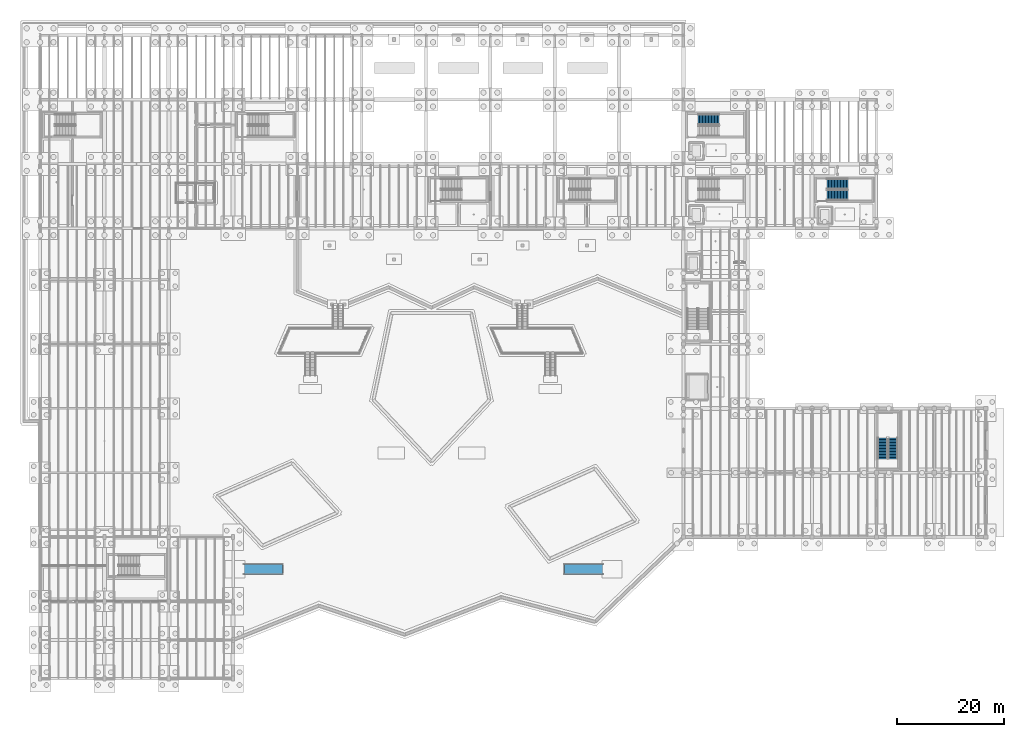
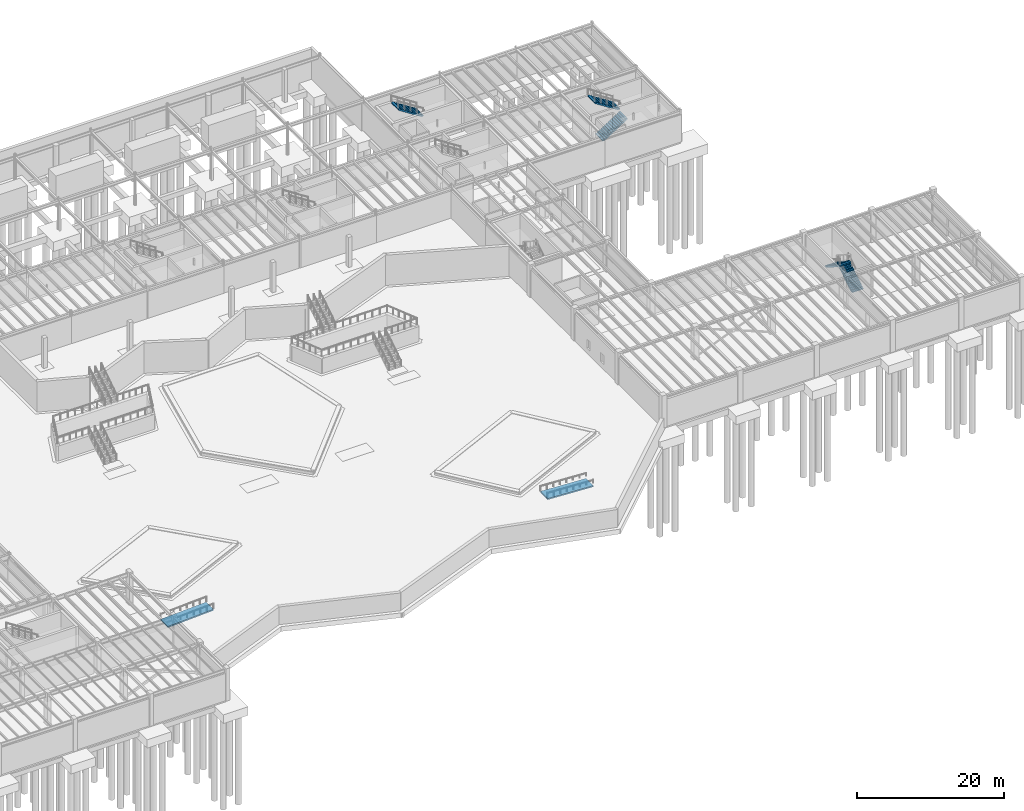
# One storey, part 41 of 67: 5 stair flights, 2 ramps, 2 ramp flights, 3 elements without a shape of their own.
"""IFC4 building model written with IfcOpenShell, lengths in metres."""

from ifc_helpers import new_model, si_unit, direction, frame, origin, place, context, subcontext, project, spatial, polyline, outline, extrude, material, layer, layer_set, type_object, element, aggregate, save


model = new_model("IFC4")

# Units and contexts
model_context = context("Model", 3, precision=1e-05, world=origin(), true_north=direction((0.0, 1.0)))
body_context = subcontext(model_context, "Body", "Model", "MODEL_VIEW")
ifc_project = project(units=[si_unit("LENGTHUNIT", "METRE"), si_unit("AREAUNIT", "SQUARE_METRE"), si_unit("VOLUMEUNIT", "CUBIC_METRE"), si_unit("PLANEANGLEUNIT", "RADIAN"), si_unit("MASSUNIT", "GRAM", prefix="KILO")], contexts=[model_context])

# Site, building, storey
site_placement = place(None, origin())
site = spatial("IfcSite", under=ifc_project, at=site_placement, CompositionType="ELEMENT")
building_placement = place(site_placement, origin())
building = spatial("IfcBuilding", under=site, at=building_placement, Name="Zlatogorsky Bluff Art Gallery", CompositionType="ELEMENT")
storey_placement = place(building_placement, frame((0.0, 0.0, -5.39990234375)))
storey = spatial("IfcBuildingStorey", under=building, at=storey_placement, Name="B1", CompositionType="ELEMENT", Elevation=-5.39990234375)

# Stair, stair flights
ifc_material = material(Name="Concrete C30/37", Category="concrete")
stair_type_1 = type_object("IfcStairType", Name="Protected Dogleg Stair ST-T1", PredefinedType="HALF_TURN_STAIR", material=ifc_material)
stair_1_placement = place(storey_placement, origin())
stair_1 = element("IfcStair", 1, at=stair_1_placement, inside=storey, type_object=stair_type_1, Name="B1 Protected Exit Stair ST-10", PredefinedType="HALF_TURN_STAIR")
stair_flight_type_1 = type_object("IfcStairFlightType", Name="Stair Flight ST-T1", PredefinedType="STRAIGHT", material=ifc_material)
stair_flight_1_placement = place(storey_placement, frame((159.10009765625, 41.0, 0.0), z_axis=(0.0, 0.0, 1.0), x_axis=(0.0, 1.0, 0.0)))
stair_flight_1 = element("IfcStairFlight", 2, at=stair_flight_1_placement, type_object=stair_flight_type_1, Name="ST-10 flight 1", NumberOfRisers=15, NumberOfTreads=14, PredefinedType="STRAIGHT", RiserHeight=0.18, TreadLength=0.28, context=body_context, shape_type="SweptSolid", body=[
    extrude(outline(polyline([(0.0, 0.0), (0.0, 0.179931640625), (0.280029296875, 0.179931640625), (0.280029296875, 0.360107421875), (0.56005859375, 0.360107421875), (0.56005859375, 0.5400390625), (0.840087890625, 0.5400390625), (0.840087890625, 0.719970703125), (1.1201171875, 0.719970703125), (1.1201171875, 0.89990234375), (1.39990234375, 0.89990234375), (1.39990234375, 1.080078125), (1.679931640625, 1.080078125), (1.679931640625, 1.260009765625), (1.9599609375, 1.260009765625), (1.9599609375, 1.43994140625), (2.239990234375, 1.43994140625), (2.239990234375, 1.6201171875), (2.52001953125, 1.6201171875), (2.52001953125, 1.800048828125), (2.800048828125, 1.800048828125), (2.800048828125, 1.97998046875), (3.080078125, 1.97998046875), (3.080078125, 2.159912109375), (3.360107421875, 2.159912109375), (3.360107421875, 2.340087890625), (3.639892578125, 2.340087890625), (3.639892578125, 2.52001953125), (3.919921875, 2.52001953125), (3.919921875, 2.699951171875), (3.919921875, 2.30615234375), (0.332763671875, 0.0), (0.0, 0.0)])), frame((0.0, 0.89990234375, 0.0), z_axis=(0.0, -1.0, 0.0), x_axis=(1.0, 0.0, 0.0)), (0.0, 0.0, 1.0), 1.800048828125),
])
stair_flight_2_placement = place(storey_placement, frame((157.14990234375, 44.919921875, 2.699951171875), z_axis=(0.0, 0.0, 1.0), x_axis=(0.0, -1.0, 0.0)))
stair_flight_2 = element("IfcStairFlight", 3, at=stair_flight_2_placement, type_object=stair_flight_type_1, Name="ST-10 flight 2", NumberOfRisers=15, NumberOfTreads=14, PredefinedType="STRAIGHT", RiserHeight=0.18, TreadLength=0.28, context=body_context, shape_type="SweptSolid", body=[
    extrude(outline(polyline([(0.0, 0.0), (0.0, 0.179931640625), (0.280029296875, 0.179931640625), (0.280029296875, 0.360107421875), (0.56005859375, 0.360107421875), (0.56005859375, 0.5400390625), (0.840087890625, 0.5400390625), (0.840087890625, 0.719970703125), (1.1201171875, 0.719970703125), (1.1201171875, 0.89990234375), (1.39990234375, 0.89990234375), (1.39990234375, 1.080078125), (1.679931640625, 1.080078125), (1.679931640625, 1.260009765625), (1.9599609375, 1.260009765625), (1.9599609375, 1.43994140625), (2.239990234375, 1.43994140625), (2.239990234375, 1.6201171875), (2.52001953125, 1.6201171875), (2.52001953125, 1.800048828125), (2.800048828125, 1.800048828125), (2.800048828125, 1.97998046875), (3.080078125, 1.97998046875), (3.080078125, 2.159912109375), (3.360107421875, 2.159912109375), (3.360107421875, 2.340087890625), (3.639892578125, 2.340087890625), (3.639892578125, 2.52001953125), (3.919921875, 2.52001953125), (3.919921875, 2.699951171875), (3.919921875, 2.30615234375), (0.332763671875, 0.0), (0.0, 0.0)])), frame((0.0, 0.89990234375, 0.0), z_axis=(0.0, -1.0, 0.0), x_axis=(1.0, 0.0, 0.0)), (0.0, 0.0, 1.0), 1.800048828125),
])
aggregate(stair_1, [stair_flight_1, stair_flight_2])

# Stair, stair flight
stair_type_2 = type_object("IfcStairType", Name="Protected Dogleg Stair ST-T3", PredefinedType="HALF_TURN_STAIR", material=ifc_material)
stair_2_placement = place(storey_placement, origin())
stair_2 = element("IfcStair", 4, at=stair_2_placement, inside=storey, type_object=stair_type_2, Name="B1 Protected Exit Stair ST-03", PredefinedType="HALF_TURN_STAIR")
stair_flight_type_2 = type_object("IfcStairFlightType", Name="Stair Flight ST-T3", PredefinedType="STRAIGHT", material=ifc_material)
stair_flight_3_placement = place(storey_placement, frame((126.669921875, 104.27490234375, 2.699951171875), z_axis=(0.0, 0.0, 1.0), x_axis=(-1.0, 0.0, 0.0)))
stair_flight_3 = element("IfcStairFlight", 5, at=stair_flight_3_placement, type_object=stair_flight_type_2, Name="ST-03 flight 2", NumberOfRisers=15, NumberOfTreads=14, PredefinedType="STRAIGHT", RiserHeight=0.18, TreadLength=0.28, context=body_context, shape_type="SweptSolid", body=[
    extrude(outline(polyline([(0.0, 0.0), (0.0, 0.179931640625), (0.280029296875, 0.179931640625), (0.280029296875, 0.360107421875), (0.56005859375, 0.360107421875), (0.56005859375, 0.5400390625), (0.840087890625, 0.5400390625), (0.840087890625, 0.719970703125), (1.1201171875, 0.719970703125), (1.1201171875, 0.89990234375), (1.39990234375, 0.89990234375), (1.39990234375, 1.080078125), (1.679931640625, 1.080078125), (1.679931640625, 1.260009765625), (1.9599609375, 1.260009765625), (1.9599609375, 1.43994140625), (2.239990234375, 1.43994140625), (2.239990234375, 1.6201171875), (2.52001953125, 1.6201171875), (2.52001953125, 1.800048828125), (2.800048828125, 1.800048828125), (2.800048828125, 1.97998046875), (3.080078125, 1.97998046875), (3.080078125, 2.159912109375), (3.360107421875, 2.159912109375), (3.360107421875, 2.340087890625), (3.639892578125, 2.340087890625), (3.639892578125, 2.52001953125), (3.919921875, 2.52001953125), (3.919921875, 2.699951171875), (3.919921875, 2.30615234375), (0.332763671875, 0.0), (0.0, 0.0)])), frame((0.0, 0.97509765625, 0.0), z_axis=(0.0, -1.0, 0.0), x_axis=(1.0, 0.0, 0.0)), (0.0, 0.0, 1.0), 1.949951171875),
])
aggregate(stair_2, [stair_flight_3])

# Stair, stair flights
stair_3_placement = place(storey_placement, origin())
stair_3 = element("IfcStair", 6, at=stair_3_placement, inside=storey, type_object=stair_type_2, Name="B1 Protected Exit Stair ST-04", PredefinedType="HALF_TURN_STAIR")
stair_flight_4_placement = place(storey_placement, frame((146.75, 90.175048828125, 0.0), z_axis=(0.0, 0.0, 1.0), x_axis=(1.0, 0.0, 0.0)))
stair_flight_4 = element("IfcStairFlight", 7, at=stair_flight_4_placement, type_object=stair_flight_type_2, Name="ST-04 flight 1", NumberOfRisers=15, NumberOfTreads=14, PredefinedType="STRAIGHT", RiserHeight=0.18, TreadLength=0.28, context=body_context, shape_type="SweptSolid", body=[
    extrude(outline(polyline([(0.0, 0.0), (0.0, 0.179931640625), (0.280029296875, 0.179931640625), (0.280029296875, 0.360107421875), (0.56005859375, 0.360107421875), (0.56005859375, 0.5400390625), (0.840087890625, 0.5400390625), (0.840087890625, 0.719970703125), (1.1201171875, 0.719970703125), (1.1201171875, 0.89990234375), (1.39990234375, 0.89990234375), (1.39990234375, 1.080078125), (1.679931640625, 1.080078125), (1.679931640625, 1.260009765625), (1.9599609375, 1.260009765625), (1.9599609375, 1.43994140625), (2.239990234375, 1.43994140625), (2.239990234375, 1.6201171875), (2.52001953125, 1.6201171875), (2.52001953125, 1.800048828125), (2.800048828125, 1.800048828125), (2.800048828125, 1.97998046875), (3.080078125, 1.97998046875), (3.080078125, 2.159912109375), (3.360107421875, 2.159912109375), (3.360107421875, 2.340087890625), (3.639892578125, 2.340087890625), (3.639892578125, 2.52001953125), (3.919921875, 2.52001953125), (3.919921875, 2.699951171875), (3.919921875, 2.30615234375), (0.332763671875, 0.0), (0.0, 0.0)])), frame((0.0, 0.97509765625, 0.0), z_axis=(0.0, -1.0, 0.0), x_axis=(1.0, 0.0, 0.0)), (0.0, 0.0, 1.0), 1.949951171875),
])
stair_flight_5_placement = place(storey_placement, frame((150.669921875, 92.27490234375, 2.699951171875), z_axis=(0.0, 0.0, 1.0), x_axis=(-1.0, 0.0, 0.0)))
stair_flight_5 = element("IfcStairFlight", 8, at=stair_flight_5_placement, type_object=stair_flight_type_2, Name="ST-04 flight 2", NumberOfRisers=15, NumberOfTreads=14, PredefinedType="STRAIGHT", RiserHeight=0.18, TreadLength=0.28, context=body_context, shape_type="SweptSolid", body=[
    extrude(outline(polyline([(0.0, 0.0), (0.0, 0.179931640625), (0.280029296875, 0.179931640625), (0.280029296875, 0.360107421875), (0.56005859375, 0.360107421875), (0.56005859375, 0.5400390625), (0.840087890625, 0.5400390625), (0.840087890625, 0.719970703125), (1.1201171875, 0.719970703125), (1.1201171875, 0.89990234375), (1.39990234375, 0.89990234375), (1.39990234375, 1.080078125), (1.679931640625, 1.080078125), (1.679931640625, 1.260009765625), (1.9599609375, 1.260009765625), (1.9599609375, 1.43994140625), (2.239990234375, 1.43994140625), (2.239990234375, 1.6201171875), (2.52001953125, 1.6201171875), (2.52001953125, 1.800048828125), (2.800048828125, 1.800048828125), (2.800048828125, 1.97998046875), (3.080078125, 1.97998046875), (3.080078125, 2.159912109375), (3.360107421875, 2.159912109375), (3.360107421875, 2.340087890625), (3.639892578125, 2.340087890625), (3.639892578125, 2.52001953125), (3.919921875, 2.52001953125), (3.919921875, 2.699951171875), (3.919921875, 2.30615234375), (0.332763671875, 0.0), (0.0, 0.0)])), frame((0.0, 0.97509765625, 0.0), z_axis=(0.0, -1.0, 0.0), x_axis=(1.0, 0.0, 0.0)), (0.0, 0.0, 1.0), 1.949951171875),
])
aggregate(stair_3, [stair_flight_4, stair_flight_5])

# Ramp flight
ifc_layer = layer(ifc_material, 0.219970703125)
ifc_layer_set = layer_set([ifc_layer], Name="Accessible Ramp Flight RF-01")
ramp_flight_type = type_object("IfcRampFlightType", Name="Accessible Ramp Flight RF-01", PredefinedType="STRAIGHT", material=ifc_layer_set)
ramp_flight_1_placement = place(storey_placement, frame((38.0, 19.39990234375, -0.360107421875), z_axis=(-0.049952818777, 0.0, 0.99875157867), x_axis=(0.99875157867, 0.0, 0.049952818777)))
ramp_flight_1 = element("IfcRampFlight", 9, at=ramp_flight_1_placement, type_object=ramp_flight_type, Name="Accessible ramp flight RAMP-05", PredefinedType="STRAIGHT", context=body_context, shape_type="SweptSolid", body=[
    extrude(outline(polyline([(0.0, 0.0), (7.208950980043744, 0.0), (7.208950980043744, 2.0000000000000004), (0.0, 2.0000000000000004), (0.0, 0.0)])), origin(), (0.0, 0.0, -1.0), 0.219970703125),
])

ramp_flight_2_placement = place(storey_placement, frame((105.0, 21.39990234375, -0.360107421875), z_axis=(0.049952818777, 0.0, 0.99875157867), x_axis=(-0.99875157867, 0.0, 0.049952818777)))
ramp_flight_2 = element("IfcRampFlight", 10, at=ramp_flight_2_placement, type_object=ramp_flight_type, Name="Accessible ramp flight RAMP-06", PredefinedType="STRAIGHT", context=body_context, shape_type="SweptSolid", body=[
    extrude(outline(polyline([(0.0, 0.0), (7.208950980043744, 0.0), (7.208950980043744, 2.0000000000000004), (0.0, 2.0000000000000004), (0.0, 0.0)])), origin(), (0.0, 0.0, -1.0), 0.219970703125),
])

# Ramp
ramp_type = type_object("IfcRampType", Name="Accessible Ramp R-01", PredefinedType="STRAIGHT_RUN_RAMP", material=ifc_material)
ramp_1_placement = place(storey_placement, frame((38.0, 19.39990234375, -0.360107421875), z_axis=(-0.049952818777, 0.0, 0.99875157867), x_axis=(0.99875157867, 0.0, 0.049952818777)))
ramp_1 = element("IfcRamp", 11, at=ramp_1_placement, inside=storey, type_object=ramp_type, Name="Accessible ramp RAMP-05", PredefinedType="STRAIGHT_RUN_RAMP", context=body_context, shape_type="SweptSolid", body=[
    extrude(outline(polyline([(0.0, 0.0), (7.208950980043744, 0.0), (7.208950980043744, 2.0000000000000004), (0.0, 2.0000000000000004), (0.0, 0.0)])), origin(), (0.0, 0.0, -1.0), 0.219970703125),
])

aggregate(ramp_1, [ramp_flight_1])

ramp_2_placement = place(storey_placement, frame((105.0, 21.39990234375, -0.360107421875), z_axis=(0.049952818777, 0.0, 0.99875157867), x_axis=(-0.99875157867, 0.0, 0.049952818777)))
ramp_2 = element("IfcRamp", 12, at=ramp_2_placement, inside=storey, type_object=ramp_type, Name="Accessible ramp RAMP-06", PredefinedType="STRAIGHT_RUN_RAMP", context=body_context, shape_type="SweptSolid", body=[
    extrude(outline(polyline([(0.0, 0.0), (7.208950980043744, 0.0), (7.208950980043744, 2.0000000000000004), (0.0, 2.0000000000000004), (0.0, 0.0)])), origin(), (0.0, 0.0, -1.0), 0.219970703125),
])

aggregate(ramp_2, [ramp_flight_2])

save(model, "model.ifc")
